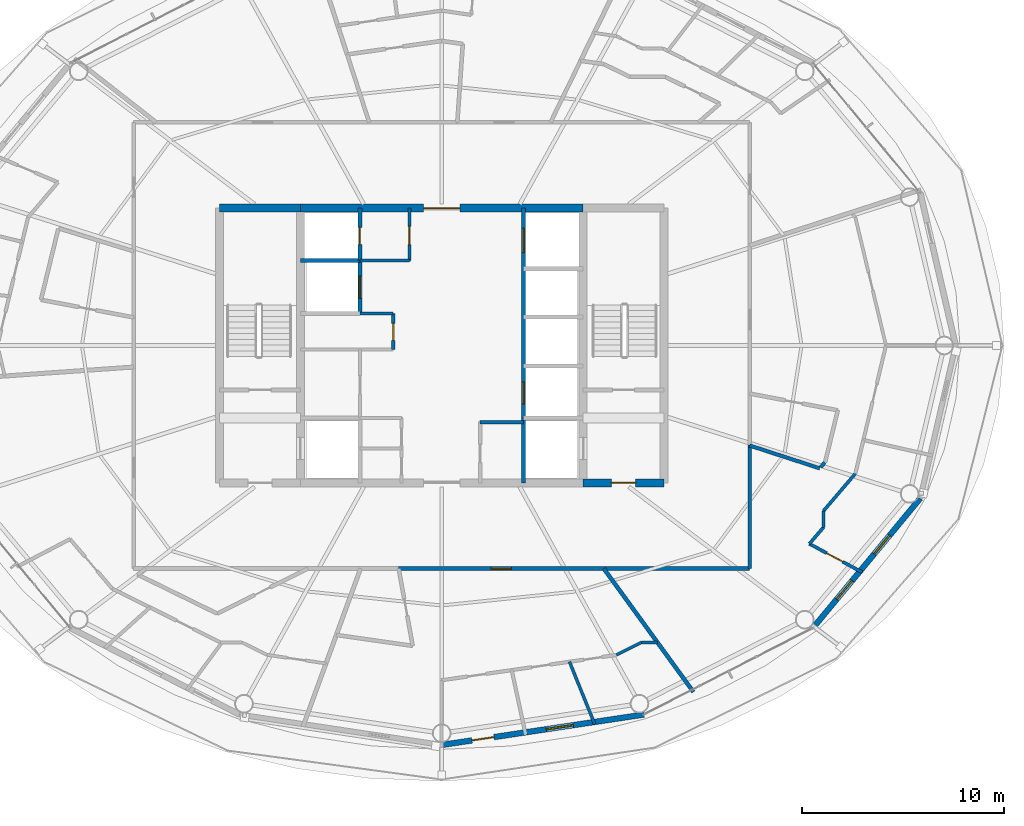
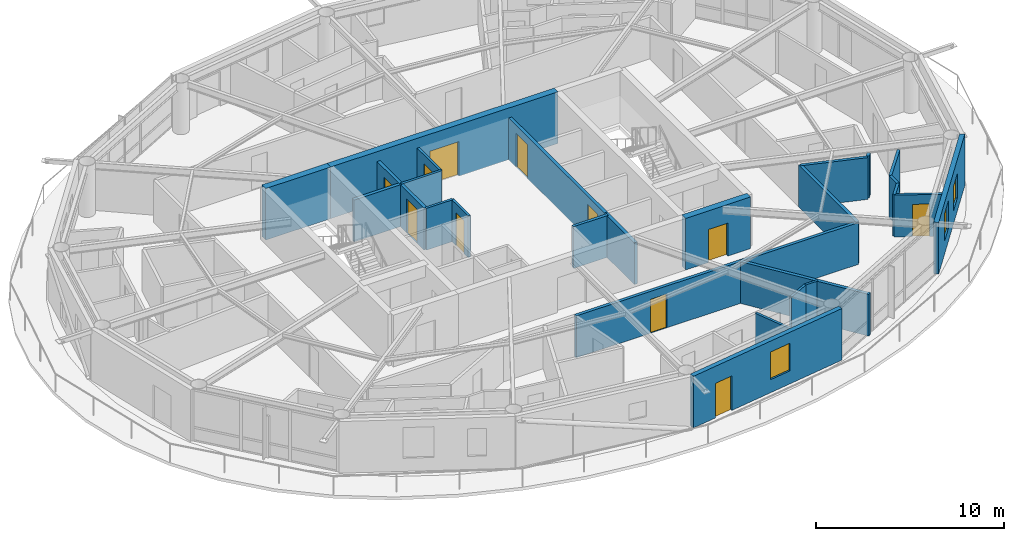
# One storey, part 17 of 23: 27 walls, 11 doors, 3 windows, 14 openings.
"""IFC4 building model written with IfcOpenShell, lengths in metres."""

import ifcopenshell
import ifcopenshell.guid

model = None  # the IFC model being written
_history = None  # IfcOwnerHistory: only IFC2X3 demands one
_inside = {}  # id of a spatial element -> (the spatial element, [elements in it])
_under = {}  # id of a project, library or spatial element -> (it, [spatial elements below it])
_declared = {}  # id of a project -> (the project, [libraries it declares])
_typed = {}  # id of a type object -> (the type object, [elements of that type])
_made_of = {}  # id of a material, layer set ... -> (it, [elements and type objects made of it])


def new_model(schema):
    """Start an empty IFC model of exactly this schema.

    Asked for "IFC4X3", IfcOpenShell would pick the latest addendum, in which some entities
    have other attributes; the version numbers below select the first issue.
    IFC2X3 requires an IfcOwnerHistory on every rooted entity: one is made here for all.
    """
    global model, _history
    if schema == "IFC4X3":
        model = ifcopenshell.file(schema_version=(4, 3, 0, 0))
    else:
        model = ifcopenshell.file(schema=schema)
    _inside.clear()
    _under.clear()
    _declared.clear()
    _typed.clear()
    _made_of.clear()
    _history = None
    if model.schema == "IFC2X3":
        org = make("IfcOrganization", Name="unknown")
        user = make(
            "IfcPersonAndOrganization",
            ThePerson=make("IfcPerson", FamilyName="unknown"),
            TheOrganization=org,
        )
        app = make(
            "IfcApplication",
            ApplicationDeveloper=org,
            Version="unknown",
            ApplicationFullName="unknown",
            ApplicationIdentifier="unknown",
        )
        _history = make(
            "IfcOwnerHistory",
            OwningUser=user,
            OwningApplication=app,
            ChangeAction="ADDED",
            CreationDate=0,
        )
    return model


def make(cls, **values):
    """One entity of the class cls with the attributes given. An attribute that is None is left unset."""
    return model.create_entity(
        cls, **{name: value for name, value in values.items() if value is not None}
    )


def rooted(cls, **values):
    """An entity with a GlobalId (a new one), such as an element, a storey or a relation."""
    return make(cls, GlobalId=ifcopenshell.guid.new(), OwnerHistory=_history, **values)


def si_unit(unit_type, name, prefix=None):
    """IfcSIUnit, for example si_unit("LENGTHUNIT", "METRE", prefix="MILLI")."""
    return make("IfcSIUnit", UnitType=unit_type, Prefix=prefix, Name=name)


def assignment(units):
    """IfcUnitAssignment: the units of a project."""
    return None if units is None else make("IfcUnitAssignment", Units=units)


def point(xyz):
    """IfcCartesianPoint."""
    return None if xyz is None else make("IfcCartesianPoint", Coordinates=xyz)


def direction(xyz):
    """IfcDirection."""
    return None if xyz is None else make("IfcDirection", DirectionRatios=xyz)


def frame(location, z_axis=None, x_axis=None):
    """IfcAxis2Placement3D, a coordinate frame: its origin and axes. An axis left out is left unset."""
    return make(
        "IfcAxis2Placement3D",
        Location=point(location),
        Axis=direction(z_axis),
        RefDirection=direction(x_axis),
    )


def frame_2d(location, x_axis=None):
    """IfcAxis2Placement2D, a coordinate frame in the plane: its origin and x axis."""
    return make(
        "IfcAxis2Placement2D", Location=point(location), RefDirection=direction(x_axis)
    )


def origin():
    """The frame at (0, 0, 0) with its axes left unset."""
    return frame((0.0, 0.0, 0.0))


def place(relative_to, where):
    """IfcLocalPlacement: puts the frame where relative to a parent placement (None: the world)."""
    return make(
        "IfcLocalPlacement", PlacementRelTo=relative_to, RelativePlacement=where
    )


def context(
    kind, dimensions, precision=None, world=None, true_north=None, identifier=None
):
    """IfcGeometricRepresentationContext, for example the 3D "Model" context."""
    return make(
        "IfcGeometricRepresentationContext",
        ContextIdentifier=identifier,
        ContextType=kind,
        CoordinateSpaceDimension=dimensions,
        Precision=precision,
        WorldCoordinateSystem=world,
        TrueNorth=true_north,
    )


def subcontext(parent, identifier, kind, view, scale=None):
    """IfcGeometricRepresentationSubContext, for example "Body" below "Model"."""
    return make(
        "IfcGeometricRepresentationSubContext",
        ContextIdentifier=identifier,
        ContextType=kind,
        ParentContext=parent,
        TargetScale=scale,
        TargetView=view,
    )


def project(units=None, contexts=None):
    """IfcProject with its units and contexts."""
    return rooted(
        "IfcProject",
        Name="project",
        RepresentationContexts=contexts,
        UnitsInContext=assignment(units),
    )


def spatial(cls, under=None, at=None, **own):
    """A site, building, storey or space (cls), placed at a placement, below another one or the project."""
    s = rooted(cls, ObjectPlacement=at, **own)
    if under is not None:
        _under.setdefault(under.id(), (under, []))[1].append(s)
    return s


def profile(cls, at=None, kind="AREA", **sizes):
    """A parametric profile (cls). Its sizes go by their IFC names, for example OverallWidth=200.0."""
    return make(cls, ProfileType=kind, Position=at, **sizes)


def rectangle(**sizes):
    """IfcRectangleProfileDef."""
    return profile("IfcRectangleProfileDef", **sizes)


def extrude(swept, where, along, depth):
    """IfcExtrudedAreaSolid: the profile swept, set in the frame where, extruded along a direction by depth."""
    return make(
        "IfcExtrudedAreaSolid",
        SweptArea=swept,
        Position=where,
        ExtrudedDirection=direction(along),
        Depth=depth,
    )


def shape(context_of_items, identifier, shape_type, items):
    """IfcShapeRepresentation: the items that make up one representation, for example the "Body"."""
    return make(
        "IfcShapeRepresentation",
        ContextOfItems=context_of_items,
        RepresentationIdentifier=identifier,
        RepresentationType=shape_type,
        Items=items,
    )


def material(Name=None, Category=None):
    """IfcMaterial."""
    return make("IfcMaterial", Name=Name, Category=Category)


def layer(
    of_material, thickness, ventilated=None, Name=None, Category=None, Priority=None
):
    """IfcMaterialLayer: one layer of a wall or slab, of a material (None: an air gap)."""
    return make(
        "IfcMaterialLayer",
        Material=of_material,
        LayerThickness=thickness,
        IsVentilated=ventilated,
        Name=Name,
        Category=Category,
        Priority=Priority,
    )


def layer_set(layers, Name=None):
    """IfcMaterialLayerSet."""
    return make("IfcMaterialLayerSet", MaterialLayers=layers, LayerSetName=Name)


def made_of(thing, what):
    """Note that an element or type object is made of a material, layer set ...; save() writes the relation."""
    if what is not None:
        _made_of.setdefault(what.id(), (what, []))[1].append(thing)
    return thing


def type_object(cls, material=None, **own):
    """A type object (cls), such as IfcWallType, which elements share."""
    return made_of(rooted(cls, **own), material)


def element(
    cls,
    number,
    at=None,
    inside=None,
    cuts=None,
    type_object=None,
    material=None,
    context=None,
    identifier="Body",
    shape_type=None,
    held_by="IfcProductDefinitionShape",
    body=None,
    shapes=None,
    **own,
):
    """One element of the class cls, such as IfcWall. Its Tag is "e" and its number.

    at: its placement. inside: the storey or other place that contains it. cuts: it is an
    opening in that element (IfcRelVoidsElement). A single representation is given by context,
    identifier, shape_type and body (its items); several are given by shapes. held_by: the class
    of the entity that holds the representations. save() writes the other relations.
    """
    e = rooted(cls, Tag="e%d" % number, ObjectPlacement=at, **own)
    if body is not None:
        shapes = [shape(context, identifier, shape_type, body)]
    if shapes is not None:
        e.Representation = make(held_by, Representations=shapes)
    if inside is not None:
        _inside.setdefault(inside.id(), (inside, []))[1].append(e)
    if cuts is not None:
        rooted(
            "IfcRelVoidsElement", RelatingBuildingElement=cuts, RelatedOpeningElement=e
        )
    if type_object is not None:
        _typed.setdefault(type_object.id(), (type_object, []))[1].append(e)
    return made_of(e, material)


def fill(opening, filler):
    """IfcRelFillsElement: the door or window that sits in an opening."""
    return rooted(
        "IfcRelFillsElement",
        RelatingOpeningElement=opening,
        RelatedBuildingElement=filler,
    )


def aggregate(whole, parts):
    """IfcRelAggregates: a whole, such as a stair, and the parts it consists of."""
    return rooted("IfcRelAggregates", RelatingObject=whole, RelatedObjects=parts)


def save(model, path):
    """Write the relations noted so far, then the file.

    IfcRelAggregates (storeys below a building ...), IfcRelContainedInSpatialStructure (elements
    in a storey), IfcRelDefinesByType, IfcRelAssociatesMaterial and IfcRelDeclares: one each for
    every whole, place, type object, material and project.
    """
    for whole, parts in _under.values():
        aggregate(whole, parts)
    for where, things in _inside.values():
        rooted(
            "IfcRelContainedInSpatialStructure",
            RelatedElements=things,
            RelatingStructure=where,
        )
    for kind, things in _typed.values():
        rooted("IfcRelDefinesByType", RelatedObjects=things, RelatingType=kind)
    for what, things in _made_of.values():
        rooted("IfcRelAssociatesMaterial", RelatedObjects=things, RelatingMaterial=what)
    for by, libraries in _declared.values():
        rooted("IfcRelDeclares", RelatingContext=by, RelatedDefinitions=libraries)
    model.write(path)


model = new_model("IFC4")

# Units and contexts
model_context = context("Model", 3, precision=1e-05, world=origin(), true_north=direction((0.0, 1.0)))
body_context = subcontext(model_context, "Body", "Model", "MODEL_VIEW")
ifc_project = project(units=[si_unit("LENGTHUNIT", "METRE"), si_unit("AREAUNIT", "SQUARE_METRE"), si_unit("VOLUMEUNIT", "CUBIC_METRE"), si_unit("PLANEANGLEUNIT", "RADIAN"), si_unit("MASSUNIT", "GRAM", prefix="KILO")], contexts=[model_context])

# Site, building, storey
site_placement = place(None, origin())
site = spatial("IfcSite", under=ifc_project, at=site_placement, CompositionType="ELEMENT")
building_placement = place(site_placement, origin())
building = spatial("IfcBuilding", under=site, at=building_placement, Name="Sarneth Arch Tower", CompositionType="ELEMENT")
storey_placement = place(building_placement, frame((0.0, 0.0, 217.199951171875)))
storey = spatial("IfcBuildingStorey", under=building, at=storey_placement, Name="L55", CompositionType="ELEMENT", Elevation=217.199951171875)

# Wall, opening, door
ifc_material_1 = material(Name="Concrete C50/60", Category="concrete")
ifc_layer_1 = layer(ifc_material_1, 0.39990234375)
ifc_layer_set_1 = layer_set([ifc_layer_1], Name="Concrete C50/60")
wall_type_1 = type_object("IfcWallType", Name="WALL-CORE-400", PredefinedType="SHEAR", material=ifc_layer_set_1)
wall_1_placement = place(storey_placement, frame((55.0, 35.199951171875, 0.0), z_axis=(0.0, 0.0, 1.0), x_axis=(1.0, 0.0, 0.0)))
wall_1 = element("IfcWall", 1, at=wall_1_placement, inside=storey, type_object=wall_type_1, Name="L55 Core shear wall S-E", PredefinedType="SHEAR", context=body_context, shape_type="SweptSolid", body=[
    extrude(rectangle(XDim=4.0, YDim=0.39990234375, at=frame_2d((2.0, 0.0))), origin(), (0.0, 0.0, 1.0), 3.360107421875),
])
opening_1_placement = place(wall_1_placement, frame((1.39990234375, 0.0, 0.0)))
opening_1 = element("IfcOpeningElement", 2, at=opening_1_placement, cuts=wall_1, Name="Opening FD-02", PredefinedType="OPENING", context=body_context, shape_type="SweptSolid", body=[
    extrude(rectangle(XDim=1.199951171875, YDim=2.14990234375, at=frame_2d((0.60009765625, 1.074951171875))), frame((0.0, 0.2099609375, 0.0), z_axis=(0.0, -1.0, 0.0), x_axis=(1.0, 0.0, 0.0)), (0.0, 0.0, 1.0), 0.419921875),
])
ifc_material_2 = material(Name="Galvanised Steel S275 fire door set", Category="steel")
door_type_1 = type_object("IfcDoorType", Name="DR-FD90-1200", OperationType="SINGLE_SWING_LEFT", PredefinedType="DOOR", material=ifc_material_2)
door_1_placement = place(opening_1_placement, origin())
door_1 = element("IfcDoor", 3, at=door_1_placement, inside=storey, type_object=door_type_1, Name="L55 Firefighting lobby 2 exit door", OperationType="SINGLE_SWING_RIGHT", OverallHeight=2.14990234375, OverallWidth=1.199951171875, PredefinedType="DOOR", context=body_context, shape_type="SweptSolid", body=[
    extrude(rectangle(XDim=1.199951171875, YDim=2.14990234375, at=frame_2d((0.60009765625, 1.074951171875))), frame((0.0, 0.02490234375, 0.0), z_axis=(0.0, -1.0, 0.0), x_axis=(1.0, 0.0, 0.0)), (0.0, 0.0, 1.0), 0.050048828125),
])
fill(opening_1, door_1)

# Wall
wall_2_placement = place(storey_placement, frame((37.0, 48.800048828125, 0.0), z_axis=(0.0, 0.0, 1.0), x_axis=(1.0, 0.0, 0.0)))
element("IfcWall", 4, at=wall_2_placement, inside=storey, type_object=wall_type_1, Name="L55 Core shear wall N-W", PredefinedType="SHEAR", context=body_context, shape_type="SweptSolid", body=[
    extrude(rectangle(XDim=4.0, YDim=0.39990234375, at=frame_2d((2.0, 0.0))), origin(), (0.0, 0.0, 1.0), 3.360107421875),
])

# Wall, opening, door
wall_3_placement = place(storey_placement, frame((41.0, 48.800048828125, 0.0), z_axis=(0.0, 0.0, 1.0), x_axis=(1.0, 0.0, 0.0)))
wall_3 = element("IfcWall", 5, at=wall_3_placement, inside=storey, type_object=wall_type_1, Name="L55 Core shear wall N-M", PredefinedType="SHEAR", context=body_context, shape_type="SweptSolid", body=[
    extrude(rectangle(XDim=14.0, YDim=0.39990234375, at=frame_2d((7.0, 0.0))), origin(), (0.0, 0.0, 1.0), 3.360107421875),
])
opening_2_placement = place(wall_3_placement, frame((6.10009765625, 0.0, 0.0)))
opening_2 = element("IfcOpeningElement", 6, at=opening_2_placement, cuts=wall_3, Name="Opening FD-01", PredefinedType="OPENING", context=body_context, shape_type="SweptSolid", body=[
    extrude(rectangle(XDim=1.800048828125, YDim=2.25, at=frame_2d((0.89990234375, 1.125))), frame((0.0, 0.2099609375, 0.0), z_axis=(0.0, -1.0, 0.0), x_axis=(1.0, 0.0, 0.0)), (0.0, 0.0, 1.0), 0.419921875),
])
ifc_material_3 = material(Name="Galvanised Steel S275 fire door set", Category="steel")
door_type_2 = type_object("IfcDoorType", Name="DR-FD90-1800", OperationType="DOUBLE_DOOR_SINGLE_SWING", PredefinedType="DOOR", material=ifc_material_3)
door_2_placement = place(opening_2_placement, origin())
door_2 = element("IfcDoor", 7, at=door_2_placement, inside=storey, type_object=door_type_2, Name="L55 Central lift lobby north door", OperationType="DOUBLE_DOOR_SINGLE_SWING", OverallHeight=2.25, OverallWidth=1.800048828125, PredefinedType="DOOR", context=body_context, shape_type="SweptSolid", body=[
    extrude(rectangle(XDim=1.800048828125, YDim=2.25, at=frame_2d((0.89990234375, 1.125))), frame((0.0, 0.02490234375, 0.0), z_axis=(0.0, -1.0, 0.0), x_axis=(1.0, 0.0, 0.0)), (0.0, 0.0, 1.0), 0.050048828125),
])
fill(opening_2, door_2)

ifc_material_4 = material(Name="Double steel-stud corridor fire wall", Category="steel")
ifc_layer_2 = layer(ifc_material_4, 0.18994140625)
ifc_layer_set_2 = layer_set([ifc_layer_2], Name="Double steel-stud corridor fire wall")
wall_type_2 = type_object("IfcWallType", Name="WALL-CORR-190", PredefinedType="PARTITIONING", material=ifc_layer_set_2)
wall_4_placement = place(storey_placement, frame((45.870361328125, 30.949951171875, 0.0), z_axis=(0.0, 0.0, 1.0), x_axis=(1.0, 0.0, 0.0)))
wall_4 = element("IfcWall", 8, at=wall_4_placement, inside=storey, type_object=wall_type_2, Name="L55 Interior partition W-L55-TP-015", PredefinedType="PARTITIONING", context=body_context, shape_type="SweptSolid", body=[
    extrude(rectangle(XDim=17.379638671875, YDim=0.18994140625, at=frame_2d((8.68994140625, 0.0))), origin(), (0.0, 0.0, 1.0), 2.719970703125),
])
opening_3_placement = place(wall_4_placement, frame((4.5791015625, 0.0, 0.0)))
opening_3 = element("IfcOpeningElement", 9, at=opening_3_placement, cuts=wall_4, Name="Opening FD-08", PredefinedType="OPENING", context=body_context, shape_type="SweptSolid", body=[
    extrude(rectangle(XDim=1.0, YDim=2.199951171875, at=frame_2d((0.5, 1.10009765625))), frame((0.0, 0.10498046875, 0.0), z_axis=(0.0, -1.0, 0.0), x_axis=(1.0, 0.0, 0.0)), (0.0, 0.0, 1.0), 0.2099609375),
])
ifc_material_5 = material(Name="Hardwood timber acoustic fire door", Category="wood")
door_type_3 = type_object("IfcDoorType", Name="DR-FD60-1000", OperationType="SINGLE_SWING_LEFT", PredefinedType="DOOR", material=ifc_material_5)
door_3_placement = place(opening_3_placement, origin())
door_3 = element("IfcDoor", 10, at=door_3_placement, inside=storey, type_object=door_type_3, Name="L55 Interior door DR-L55-U6-ENT", OperationType="SINGLE_SWING_LEFT", OverallHeight=2.199951171875, OverallWidth=1.0, PredefinedType="DOOR", context=body_context, shape_type="SweptSolid", body=[
    extrude(rectangle(XDim=1.0, YDim=2.199951171875, at=frame_2d((0.5, 1.10009765625))), frame((0.0, 0.02490234375, 0.0), z_axis=(0.0, -1.0, 0.0), x_axis=(1.0, 0.0, 0.0)), (0.0, 0.0, 1.0), 0.050048828125),
])
fill(opening_3, door_3)

# Wall
wall_5_placement = place(storey_placement, frame((63.25, 37.07861328125, 0.0), z_axis=(0.0, 0.0, 1.0), x_axis=(0.0, -1.0, 0.0)))
element("IfcWall", 11, at=wall_5_placement, inside=storey, type_object=wall_type_2, Name="L55 Interior partition W-L55-TP-017", PredefinedType="PARTITIONING", context=body_context, shape_type="SweptSolid", body=[
    extrude(rectangle(XDim=6.128662109375, YDim=0.18994140625, at=frame_2d((3.064453125, 0.0))), origin(), (0.0, 0.0, 1.0), 2.719970703125),
])

# Wall, openings, door, window
ifc_material_6 = material(Name="Extruded terracotta rainscreen on Concrete C40/50 backing", Category="masonry")
ifc_layer_3 = layer(ifc_material_6, 0.280029296875)
ifc_layer_set_3 = layer_set([ifc_layer_3], Name="Extruded terracotta rainscreen on Concrete C40/50 backing")
wall_type_3 = type_object("IfcWallType", Name="WALL-EXT-TERRA-280", PredefinedType="SOLIDWALL", material=ifc_layer_set_3)
wall_6_placement = place(storey_placement, frame((48.0, 22.219970703125, 0.0), z_axis=(0.0, 0.0, 1.0), x_axis=(0.988882522213, 0.148698881169, 0.0)))
wall_6 = element("IfcWall", 12, at=wall_6_placement, inside=storey, type_object=wall_type_3, Name="L55 Terracotta perimeter wall 13", PredefinedType="SOLIDWALL", context=body_context, shape_type="SweptSolid", body=[
    extrude(rectangle(XDim=10.125244140625, YDim=0.280029296875, at=frame_2d((5.0625, 0.0))), origin(), (0.0, 0.0, 1.0), 3.360107421875),
])
opening_4_placement = place(wall_6_placement, frame((1.51611328125, 0.0, 0.0)))
opening_4 = element("IfcOpeningElement", 13, at=opening_4_placement, cuts=wall_6, Name="Opening BD-3", PredefinedType="OPENING", context=body_context, shape_type="SweptSolid", body=[
    extrude(rectangle(XDim=1.10009765625, YDim=2.25, at=frame_2d((0.550048828125, 1.125))), frame((0.0, 0.14990234375, 0.0), z_axis=(0.0, -1.0, 0.0), x_axis=(1.0, 0.0, 0.0)), (0.0, 0.0, 1.0), 0.300048828125),
])
opening_5_placement = place(wall_6_placement, frame((5.2412109375, 0.0, 0.85009765625)))
opening_5 = element("IfcOpeningElement", 14, at=opening_5_placement, cuts=wall_6, Name="Opening W-08", PredefinedType="OPENING", context=body_context, shape_type="SweptSolid", body=[
    extrude(rectangle(XDim=1.35009765625, YDim=1.800048828125, at=frame_2d((0.675048828125, 0.89990234375))), frame((0.0, 0.14990234375, 0.0), z_axis=(0.0, -1.0, 0.0), x_axis=(1.0, 0.0, 0.0)), (0.0, 0.0, 1.0), 0.300048828125),
])
ifc_material_7 = material(Name="Thermally broken Aluminium 6063-T6 and laminated safety glass", Category="aluminium")
door_type_4 = type_object("IfcDoorType", Name="DR-BALC-GLZ-1100", OperationType="SINGLE_SWING_LEFT", PredefinedType="DOOR", material=ifc_material_7)
door_4_placement = place(opening_4_placement, origin())
door_4 = element("IfcDoor", 15, at=door_4_placement, inside=storey, type_object=door_type_4, Name="L55 Balcony glazed door 13", OperationType="SINGLE_SWING_LEFT", OverallHeight=2.25, OverallWidth=1.10009765625, PredefinedType="DOOR", context=body_context, shape_type="SweptSolid", body=[
    extrude(rectangle(XDim=1.10009765625, YDim=2.25, at=frame_2d((0.550048828125, 1.125))), frame((0.0, 0.02490234375, 0.0), z_axis=(0.0, -1.0, 0.0), x_axis=(1.0, 0.0, 0.0)), (0.0, 0.0, 1.0), 0.050048828125),
])
fill(opening_4, door_4)
ifc_material_8 = material(Name="Thermally broken Aluminium 6063-T6 and low-e laminated IGU", Category="aluminium")
window_type_1 = type_object("IfcWindowType", Name="WIN-TWR-1350x1800", PartitioningType="SINGLE_PANEL", PredefinedType="WINDOW", material=ifc_material_8)
window_1_placement = place(opening_5_placement, origin())
window_1 = element("IfcWindow", 16, at=window_1_placement, inside=storey, type_object=window_type_1, Name="L55 Exterior window 13A", OverallHeight=1.800048828125, OverallWidth=1.35009765625, PartitioningType="SINGLE_PANEL", PredefinedType="WINDOW", context=body_context, shape_type="SweptSolid", body=[
    extrude(rectangle(XDim=1.35009765625, YDim=1.800048828125, at=frame_2d((0.675048828125, 0.89990234375))), frame((0.0, 0.030029296875, 0.0), z_axis=(0.0, -1.0, 0.0), x_axis=(1.0, 0.0, 0.0)), (0.0, 0.0, 1.0), 0.06005859375),
])
fill(opening_5, window_1)

# Wall, openings, windows
wall_7_placement = place(storey_placement, frame((66.382568359375, 28.013427734375, 0.0), z_axis=(0.0, 0.0, 1.0), x_axis=(0.63761509934, 0.770355103243, 0.0)))
wall_7 = element("IfcWall", 17, at=wall_7_placement, inside=storey, type_object=wall_type_3, Name="L55 Terracotta perimeter wall 15", PredefinedType="SOLIDWALL", context=body_context, shape_type="SweptSolid", body=[
    extrude(rectangle(XDim=8.329833984375, YDim=0.280029296875, at=frame_2d((4.1650390625, 0.0))), origin(), (0.0, 0.0, 1.0), 3.360107421875),
])
opening_6_placement = place(wall_7_placement, frame((1.842041015625, 0.0, 0.85009765625)))
opening_6 = element("IfcOpeningElement", 18, at=opening_6_placement, cuts=wall_7, Name="Opening W-09", PredefinedType="OPENING", context=body_context, shape_type="SweptSolid", body=[
    extrude(rectangle(XDim=1.199951171875, YDim=1.800048828125, at=frame_2d((0.60009765625, 0.89990234375))), frame((0.0, 0.14990234375, 0.0), z_axis=(0.0, -1.0, 0.0), x_axis=(1.0, 0.0, 0.0)), (0.0, 0.0, 1.0), 0.300048828125),
])
opening_7_placement = place(wall_7_placement, frame((4.7470703125, 0.0, 0.85009765625)))
opening_7 = element("IfcOpeningElement", 19, at=opening_7_placement, cuts=wall_7, Name="Opening W-10", PredefinedType="OPENING", context=body_context, shape_type="SweptSolid", body=[
    extrude(rectangle(XDim=1.199951171875, YDim=1.60009765625, at=frame_2d((0.60009765625, 0.800048828125))), frame((0.0, 0.14990234375, 0.0), z_axis=(0.0, -1.0, 0.0), x_axis=(1.0, 0.0, 0.0)), (0.0, 0.0, 1.0), 0.300048828125),
])
ifc_material_9 = material(Name="Thermally broken Aluminium 6063-T6 and low-e laminated IGU", Category="aluminium")
window_type_2 = type_object("IfcWindowType", Name="WIN-TWR-1200x1600", PartitioningType="SINGLE_PANEL", PredefinedType="WINDOW", material=ifc_material_9)
window_2_placement = place(opening_7_placement, origin())
window_2 = element("IfcWindow", 20, at=window_2_placement, inside=storey, type_object=window_type_2, Name="L55 Exterior window 15B", OverallHeight=1.60009765625, OverallWidth=1.199951171875, PartitioningType="SINGLE_PANEL", PredefinedType="WINDOW", context=body_context, shape_type="SweptSolid", body=[
    extrude(rectangle(XDim=1.199951171875, YDim=1.60009765625, at=frame_2d((0.60009765625, 0.800048828125))), frame((0.0, 0.030029296875, 0.0), z_axis=(0.0, -1.0, 0.0), x_axis=(1.0, 0.0, 0.0)), (0.0, 0.0, 1.0), 0.06005859375),
])
fill(opening_7, window_2)
ifc_material_10 = material(Name="Thermally broken Aluminium 6063-T6 and low-e laminated IGU", Category="aluminium")
window_type_3 = type_object("IfcWindowType", Name="WIN-TWR-1200x1800", PartitioningType="SINGLE_PANEL", PredefinedType="WINDOW", material=ifc_material_10)
window_3_placement = place(opening_6_placement, origin())
window_3 = element("IfcWindow", 21, at=window_3_placement, inside=storey, type_object=window_type_3, Name="L55 Exterior window 15A", OverallHeight=1.800048828125, OverallWidth=1.199951171875, PartitioningType="SINGLE_PANEL", PredefinedType="WINDOW", context=body_context, shape_type="SweptSolid", body=[
    extrude(rectangle(XDim=1.199951171875, YDim=1.800048828125, at=frame_2d((0.60009765625, 0.89990234375))), frame((0.0, 0.030029296875, 0.0), z_axis=(0.0, -1.0, 0.0), x_axis=(1.0, 0.0, 0.0)), (0.0, 0.0, 1.0), 0.06005859375),
])
fill(opening_6, window_3)

# Walls
ifc_material_11 = material(Name="Apartment internal stud partition", Category="gypsum")
ifc_layer_4 = layer(ifc_material_11, 0.139892578125)
ifc_layer_set_4 = layer_set([ifc_layer_4], Name="Apartment internal stud partition")
wall_type_4 = type_object("IfcWallType", Name="WALL-PART-140", PredefinedType="PARTITIONING", material=ifc_layer_set_4)
wall_8_placement = place(storey_placement, frame((57.898681640625, 27.300048828125, 0.0), z_axis=(0.0, 0.0, 1.0), x_axis=(-0.895584310315, -0.444891833053, 0.0)))
element("IfcWall", 22, at=wall_8_placement, inside=storey, type_object=wall_type_4, Name="L55 Interior partition W-L55-TP-088", PredefinedType="PARTITIONING", context=body_context, shape_type="SweptSolid", body=[
    extrude(rectangle(XDim=1.388916015625, YDim=0.139892578125, at=frame_2d((0.6943359375, 0.0))), origin(), (0.0, 0.0, 1.0), 2.719970703125),
])
wall_9_placement = place(storey_placement, frame((58.68017578125, 27.300048828125, 0.0), z_axis=(0.0, 0.0, 1.0), x_axis=(-1.0, 0.0, 0.0)))
element("IfcWall", 23, at=wall_9_placement, inside=storey, type_object=wall_type_4, Name="L55 Interior partition W-L55-TP-087", PredefinedType="PARTITIONING", context=body_context, shape_type="SweptSolid", body=[
    extrude(rectangle(XDim=0.781494140625, YDim=0.139892578125, at=frame_2d((0.390625, 0.0))), origin(), (0.0, 0.0, 1.0), 2.719970703125),
])
ifc_material_12 = material(Name="Acoustic gypsum stud partition", Category="gypsum")
ifc_layer_5 = layer(ifc_material_12, 0.14990234375)
ifc_layer_set_5 = layer_set([ifc_layer_5], Name="Acoustic gypsum stud partition")
wall_type_5 = type_object("IfcWallType", Name="WALL-PART-150", PredefinedType="PARTITIONING", material=ifc_layer_set_5)
wall_10_placement = place(storey_placement, frame((43.949951171875, 43.580078125, 0.0), z_axis=(0.0, 0.0, 1.0), x_axis=(1.0, 0.0, 0.0)))
element("IfcWall", 24, at=wall_10_placement, inside=storey, type_object=wall_type_5, Name="L55 Interior partition W-L55-RECPL-N2", PredefinedType="PARTITIONING", context=body_context, shape_type="SweptSolid", body=[
    extrude(rectangle(XDim=1.650146484375, YDim=0.14990234375, at=frame_2d((0.8251953125, 0.0))), origin(), (0.0, 0.0, 1.0), 2.719970703125),
])

# Wall, opening, door
wall_11_placement = place(storey_placement, frame((45.60009765625, 41.800048828125, 0.0), z_axis=(0.0, 0.0, 1.0), x_axis=(0.0, 1.0, 0.0)))
wall_11 = element("IfcWall", 25, at=wall_11_placement, inside=storey, type_object=wall_type_5, Name="L55 Interior partition W-L55-RECPL-E2", PredefinedType="PARTITIONING", context=body_context, shape_type="SweptSolid", body=[
    extrude(rectangle(XDim=1.780029296875, YDim=0.14990234375, at=frame_2d((0.89013671875, 0.0))), origin(), (0.0, 0.0, 1.0), 2.719970703125),
])
opening_8_placement = place(wall_11_placement, frame((0.449951171875, 0.0, 0.0)))
opening_8 = element("IfcOpeningElement", 26, at=opening_8_placement, cuts=wall_11, Name="Opening FD-11", PredefinedType="OPENING", context=body_context, shape_type="SweptSolid", body=[
    extrude(rectangle(XDim=0.85009765625, YDim=2.14990234375, at=frame_2d((0.425048828125, 1.074951171875))), frame((0.0, 0.0849609375, 0.0), z_axis=(0.0, -1.0, 0.0), x_axis=(1.0, 0.0, 0.0)), (0.0, 0.0, 1.0), 0.169921875),
])
ifc_material_13 = material(Name="Galvanised Steel S275 closet fire door", Category="steel")
door_type_5 = type_object("IfcDoorType", Name="DR-FD60-850", OperationType="SINGLE_SWING_LEFT", PredefinedType="DOOR", material=ifc_material_13)
door_5_placement = place(opening_8_placement, origin())
door_5 = element("IfcDoor", 27, at=door_5_placement, inside=storey, type_object=door_type_5, Name="L55 Interior door DR-L55-RECPL2", OperationType="SINGLE_SWING_RIGHT", OverallHeight=2.14990234375, OverallWidth=0.85009765625, PredefinedType="DOOR", context=body_context, shape_type="SweptSolid", body=[
    extrude(rectangle(XDim=0.85009765625, YDim=2.14990234375, at=frame_2d((0.425048828125, 1.074951171875))), frame((0.0, 0.02490234375, 0.0), z_axis=(0.0, -1.0, 0.0), x_axis=(1.0, 0.0, 0.0)), (0.0, 0.0, 1.0), 0.050048828125),
])
fill(opening_8, door_5)

# Wall
wall_12_placement = place(storey_placement, frame((43.949951171875, 46.199951171875, 0.0), z_axis=(0.0, 0.0, 1.0), x_axis=(1.0, 0.0, 0.0)))
element("IfcWall", 28, at=wall_12_placement, inside=storey, type_object=wall_type_5, Name="L55 Interior partition W-L55-CSUP3-S", PredefinedType="PARTITIONING", context=body_context, shape_type="SweptSolid", body=[
    extrude(rectangle(XDim=2.449951171875, YDim=0.14990234375, at=frame_2d((1.22509765625, 0.0))), origin(), (0.0, 0.0, 1.0), 2.719970703125),
])

# Wall, opening, door
wall_13_placement = place(storey_placement, frame((46.39990234375, 46.199951171875, 0.0), z_axis=(0.0, 0.0, 1.0), x_axis=(0.0, 1.0, 0.0)))
wall_13 = element("IfcWall", 29, at=wall_13_placement, inside=storey, type_object=wall_type_5, Name="L55 Interior partition W-L55-CSUP3-E", PredefinedType="PARTITIONING", context=body_context, shape_type="SweptSolid", body=[
    extrude(rectangle(XDim=2.60009765625, YDim=0.14990234375, at=frame_2d((1.300048828125, 0.0))), origin(), (0.0, 0.0, 1.0), 2.719970703125),
])
opening_9_placement = place(wall_13_placement, frame((0.800048828125, 0.0, 0.0)))
opening_9 = element("IfcOpeningElement", 30, at=opening_9_placement, cuts=wall_13, Name="Opening FD-10", PredefinedType="OPENING", context=body_context, shape_type="SweptSolid", body=[
    extrude(rectangle(XDim=0.89990234375, YDim=2.14990234375, at=frame_2d((0.449951171875, 1.074951171875))), frame((0.0, 0.0849609375, 0.0), z_axis=(0.0, -1.0, 0.0), x_axis=(1.0, 0.0, 0.0)), (0.0, 0.0, 1.0), 0.169921875),
])
ifc_material_14 = material(Name="Galvanised Steel S275 riser/service fire door", Category="steel")
door_type_6 = type_object("IfcDoorType", Name="DR-FD60-900", OperationType="SINGLE_SWING_LEFT", PredefinedType="DOOR", material=ifc_material_14)
door_6_placement = place(opening_9_placement, origin())
door_6 = element("IfcDoor", 31, at=door_6_placement, inside=storey, type_object=door_type_6, Name="L55 Interior door DR-L55-CSUP3", OperationType="SINGLE_SWING_LEFT", OverallHeight=2.14990234375, OverallWidth=0.89990234375, PredefinedType="DOOR", context=body_context, shape_type="SweptSolid", body=[
    extrude(rectangle(XDim=0.89990234375, YDim=2.14990234375, at=frame_2d((0.449951171875, 1.074951171875))), frame((0.0, 0.02490234375, 0.0), z_axis=(0.0, -1.0, 0.0), x_axis=(1.0, 0.0, 0.0)), (0.0, 0.0, 1.0), 0.050048828125),
])
fill(opening_9, door_6)

# Wall
wall_14_placement = place(storey_placement, frame((54.325927734375, 26.342529296875, 0.0), z_axis=(0.0, 0.0, 1.0), x_axis=(0.374635643267, -0.927172117136, 0.0)))
element("IfcWall", 32, at=wall_14_placement, inside=storey, type_object=wall_type_5, Name="L55 Interior partition W-L55-TP-092", PredefinedType="PARTITIONING", context=body_context, shape_type="SweptSolid", body=[
    extrude(rectangle(XDim=3.344482421875, YDim=0.14990234375, at=frame_2d((1.67236328125, 0.0))), origin(), (0.0, 0.0, 1.0), 2.719970703125),
])

# Wall, opening, door
ifc_material_15 = material(Name="Kitchen wet service chase wall", Category="gypsum")
ifc_layer_6 = layer(ifc_material_15, 0.159912109375)
ifc_layer_set_6 = layer_set([ifc_layer_6], Name="Kitchen wet service chase wall")
wall_type_6 = type_object("IfcWallType", Name="WALL-PLUMB-160", PredefinedType="PLUMBINGWALL", material=ifc_layer_set_6)
wall_15_placement = place(storey_placement, frame((68.818115234375, 30.771484375, 0.0), z_axis=(0.0, 0.0, 1.0), x_axis=(-0.880124770505, 0.474742444219, 0.0)))
wall_15 = element("IfcWall", 33, at=wall_15_placement, inside=storey, type_object=wall_type_6, Name="L55 Interior partition W-L55-TP-094", PredefinedType="PLUMBINGWALL", context=body_context, shape_type="SweptSolid", body=[
    extrude(rectangle(XDim=2.96728515625, YDim=0.159912109375, at=frame_2d((1.483642578125, 0.0))), origin(), (0.0, 0.0, 1.0), 2.719970703125),
])
opening_10_placement = place(wall_15_placement, frame((1.093505859375, 0.0, 0.0)))
opening_10 = element("IfcOpeningElement", 34, at=opening_10_placement, cuts=wall_15, Name="Opening ID-01", PredefinedType="OPENING", context=body_context, shape_type="SweptSolid", body=[
    extrude(rectangle(XDim=0.89990234375, YDim=2.10009765625, at=frame_2d((0.449951171875, 1.050048828125))), frame((0.0, 0.08984375, 0.0), z_axis=(0.0, -1.0, 0.0), x_axis=(1.0, 0.0, 0.0)), (0.0, 0.0, 1.0), 0.179931640625),
])
ifc_material_16 = material(Name="Engineered hardwood flush door", Category="wood")
door_type_7 = type_object("IfcDoorType", Name="DR-INT-900", OperationType="SINGLE_SWING_LEFT", PredefinedType="DOOR", material=ifc_material_16)
door_7_placement = place(opening_10_placement, origin())
door_7 = element("IfcDoor", 35, at=door_7_placement, inside=storey, type_object=door_type_7, Name="L55 Interior door DR-L55-U7-KIT", OperationType="SINGLE_SWING_RIGHT", OverallHeight=2.10009765625, OverallWidth=0.89990234375, PredefinedType="DOOR", context=body_context, shape_type="SweptSolid", body=[
    extrude(rectangle(XDim=0.89990234375, YDim=2.10009765625, at=frame_2d((0.449951171875, 1.050048828125))), frame((0.0, 0.02490234375, 0.0), z_axis=(0.0, -1.0, 0.0), x_axis=(1.0, 0.0, 0.0)), (0.0, 0.0, 1.0), 0.050048828125),
])
fill(opening_10, door_7)

# Walls
wall_16_placement = place(storey_placement, frame((66.89990234375, 33.802978515625, 0.0), z_axis=(0.0, 0.0, 1.0), x_axis=(0.649270866973, 0.760557257082, 0.0)))
element("IfcWall", 36, at=wall_16_placement, inside=storey, type_object=wall_type_6, Name="L55 Interior partition W-L55-TP-097", PredefinedType="PLUMBINGWALL", context=body_context, shape_type="SweptSolid", body=[
    extrude(rectangle(XDim=2.43505859375, YDim=0.159912109375, at=frame_2d((1.217529296875, 0.0))), origin(), (0.0, 0.0, 1.0), 2.719970703125),
])
wall_17_placement = place(storey_placement, frame((66.20654296875, 32.18017578125, 0.0), z_axis=(0.0, 0.0, 1.0), x_axis=(0.649020528566, 0.760770894225, 0.0)))
element("IfcWall", 37, at=wall_17_placement, inside=storey, type_object=wall_type_6, Name="L55 Interior partition W-L55-TP-095", PredefinedType="PLUMBINGWALL", context=body_context, shape_type="SweptSolid", body=[
    extrude(rectangle(XDim=1.068359375, YDim=0.159912109375, at=frame_2d((0.5341796875, 0.0))), origin(), (0.0, 0.0, 1.0), 2.719970703125),
])
wall_18_placement = place(storey_placement, frame((66.89990234375, 32.992919921875, 0.0), z_axis=(0.0, 0.0, 1.0), x_axis=(0.0, 1.0, 0.0)))
element("IfcWall", 38, at=wall_18_placement, inside=storey, type_object=wall_type_6, Name="L55 Interior partition W-L55-TP-096", PredefinedType="PLUMBINGWALL", context=body_context, shape_type="SweptSolid", body=[
    extrude(rectangle(XDim=0.81005859375, YDim=0.159912109375, at=frame_2d((0.405029296875, 0.0))), origin(), (0.0, 0.0, 1.0), 2.719970703125),
])
ifc_material_17 = material(Name="Moisture-resistant plumbing chase wall", Category="gypsum")
ifc_layer_7 = layer(ifc_material_17, 0.179931640625)
ifc_layer_set_7 = layer_set([ifc_layer_7], Name="Moisture-resistant plumbing chase wall")
wall_type_7 = type_object("IfcWallType", Name="WALL-PLUMB-180", PredefinedType="PLUMBINGWALL", material=ifc_layer_set_7)
wall_19_placement = place(storey_placement, frame((49.89990234375, 38.199951171875, 0.0), z_axis=(0.0, 0.0, 1.0), x_axis=(1.0, 0.0, 0.0)))
element("IfcWall", 39, at=wall_19_placement, inside=storey, type_object=wall_type_7, Name="L55 Interior partition W-L55-AWC-N", PredefinedType="PLUMBINGWALL", context=body_context, shape_type="SweptSolid", body=[
    extrude(rectangle(XDim=2.150146484375, YDim=0.179931640625, at=frame_2d((1.0751953125, 0.0))), origin(), (0.0, 0.0, 1.0), 2.719970703125),
])
wall_20_placement = place(storey_placement, frame((63.25, 37.044921875, 0.0), z_axis=(0.0, 0.0, 1.0), x_axis=(0.951066543841, -0.308986131058, 0.0)))
element("IfcWall", 40, at=wall_20_placement, inside=storey, type_object=wall_type_7, Name="L55 Interior partition W-L55-TP-099", PredefinedType="PLUMBINGWALL", context=body_context, shape_type="SweptSolid", body=[
    extrude(rectangle(XDim=3.645751953125, YDim=0.179931640625, at=frame_2d((1.82275390625, 0.0))), origin(), (0.0, 0.0, 1.0), 2.719970703125),
])
wall_21_placement = place(storey_placement, frame((66.761962890625, 35.9697265625, 0.0), z_axis=(0.0, 0.0, 1.0), x_axis=(0.656312676344, 0.754489013088, 0.0)))
element("IfcWall", 41, at=wall_21_placement, inside=storey, type_object=wall_type_7, Name="L55 Interior partition W-L55-TP-100", PredefinedType="PLUMBINGWALL", context=body_context, shape_type="SweptSolid", body=[
    extrude(rectangle(XDim=0.31591796875, YDim=0.179931640625, at=frame_2d((0.157958984375, 0.0))), origin(), (0.0, 0.0, 1.0), 2.719970703125),
])
ifc_material_18 = material(Name="Aerated concrete blockwork C25/30", Category="masonry")
ifc_layer_8 = layer(ifc_material_18, 0.199951171875)
ifc_layer_set_8 = layer_set([ifc_layer_8], Name="Aerated concrete blockwork C25/30")
wall_type_8 = type_object("IfcWallType", Name="WALL-SHAFT-200", PredefinedType="SOLIDWALL", material=ifc_layer_set_8)
wall_22_placement = place(storey_placement, frame((52.050048828125, 35.199951171875, 0.0), z_axis=(0.0, 0.0, 1.0), x_axis=(0.0, 1.0, 0.0)))
element("IfcWall", 42, at=wall_22_placement, inside=storey, type_object=wall_type_8, Name="L55 Interior partition W-L55-FL2-W", PredefinedType="SOLIDWALL", context=body_context, shape_type="SweptSolid", body=[
    extrude(rectangle(XDim=3.199951171875, YDim=0.199951171875, at=frame_2d((1.60009765625, 0.0))), origin(), (0.0, 0.0, 1.0), 2.719970703125),
])
wall_23_placement = place(storey_placement, frame((41.0, 46.199951171875, 0.0), z_axis=(0.0, 0.0, 1.0), x_axis=(1.0, 0.0, 0.0)))
element("IfcWall", 43, at=wall_23_placement, inside=storey, type_object=wall_type_8, Name="L55 Interior partition W-L55-RISER-S", PredefinedType="SOLIDWALL", context=body_context, shape_type="SweptSolid", body=[
    extrude(rectangle(XDim=2.949951171875, YDim=0.199951171875, at=frame_2d((1.47509765625, 0.0))), origin(), (0.0, 0.0, 1.0), 2.719970703125),
])

# Wall, opening, door
wall_24_placement = place(storey_placement, frame((43.949951171875, 46.199951171875, 0.0), z_axis=(0.0, 0.0, 1.0), x_axis=(0.0, 1.0, 0.0)))
wall_24 = element("IfcWall", 44, at=wall_24_placement, inside=storey, type_object=wall_type_8, Name="L55 Interior partition W-L55-RISER-E", PredefinedType="SOLIDWALL", context=body_context, shape_type="SweptSolid", body=[
    extrude(rectangle(XDim=2.60009765625, YDim=0.199951171875, at=frame_2d((1.300048828125, 0.0))), origin(), (0.0, 0.0, 1.0), 2.719970703125),
])
opening_11_placement = place(wall_24_placement, frame((0.800048828125, 0.0, 0.0)))
opening_11 = element("IfcOpeningElement", 45, at=opening_11_placement, cuts=wall_24, Name="Opening FD-11", PredefinedType="OPENING", context=body_context, shape_type="SweptSolid", body=[
    extrude(rectangle(XDim=0.85009765625, YDim=2.14990234375, at=frame_2d((0.425048828125, 1.074951171875))), frame((0.0, 0.10986328125, 0.0), z_axis=(0.0, -1.0, 0.0), x_axis=(1.0, 0.0, 0.0)), (0.0, 0.0, 1.0), 0.219970703125),
])
door_8_placement = place(opening_11_placement, origin())
door_8 = element("IfcDoor", 46, at=door_8_placement, inside=storey, type_object=door_type_5, Name="L55 Lift landing door DR-L55-RISER", OperationType="SINGLE_SWING_LEFT", OverallHeight=2.14990234375, OverallWidth=0.85009765625, PredefinedType="DOOR", context=body_context, shape_type="SweptSolid", body=[
    extrude(rectangle(XDim=0.85009765625, YDim=2.14990234375, at=frame_2d((0.425048828125, 1.074951171875))), frame((0.0, 0.02490234375, 0.0), z_axis=(0.0, -1.0, 0.0), x_axis=(1.0, 0.0, 0.0)), (0.0, 0.0, 1.0), 0.050048828125),
])
fill(opening_11, door_8)

wall_25_placement = place(storey_placement, frame((43.949951171875, 43.580078125, 0.0), z_axis=(0.0, 0.0, 1.0), x_axis=(0.0, 1.0, 0.0)))
wall_25 = element("IfcWall", 47, at=wall_25_placement, inside=storey, type_object=wall_type_8, Name="L55 Interior partition W-L55-PM1-FRONT", PredefinedType="SOLIDWALL", context=body_context, shape_type="SweptSolid", body=[
    extrude(rectangle(XDim=2.619873046875, YDim=0.199951171875, at=frame_2d((1.31005859375, 0.0))), origin(), (0.0, 0.0, 1.0), 2.719970703125),
])
opening_12_placement = place(wall_25_placement, frame((0.75, 0.0, 0.0)))
opening_12 = element("IfcOpeningElement", 48, at=opening_12_placement, cuts=wall_25, Name="Opening LD-1", PredefinedType="OPENING", context=body_context, shape_type="SweptSolid", body=[
    extrude(rectangle(XDim=1.10009765625, YDim=2.199951171875, at=frame_2d((0.550048828125, 1.10009765625))), frame((0.0, 0.10986328125, 0.0), z_axis=(0.0, -1.0, 0.0), x_axis=(1.0, 0.0, 0.0)), (0.0, 0.0, 1.0), 0.219970703125),
])
ifc_material_19 = material(Name="Brushed Stainless Steel 304 lift landing door", Category="steel")
door_type_8 = type_object("IfcDoorType", Name="DR-LIFT-SLIDE-1100", OperationType="SLIDING_TO_LEFT", PredefinedType="DOOR", material=ifc_material_19)
door_9_placement = place(opening_12_placement, origin())
door_9 = element("IfcDoor", 49, at=door_9_placement, inside=storey, type_object=door_type_8, Name="L55 Lift landing door DR-L55-LD-PM1", OperationType="SLIDING_TO_LEFT", OverallHeight=2.199951171875, OverallWidth=1.10009765625, PredefinedType="DOOR", context=body_context, shape_type="SweptSolid", body=[
    extrude(rectangle(XDim=1.10009765625, YDim=2.199951171875, at=frame_2d((0.550048828125, 1.10009765625))), frame((0.0, 0.02490234375, 0.0), z_axis=(0.0, -1.0, 0.0), x_axis=(1.0, 0.0, 0.0)), (0.0, 0.0, 1.0), 0.050048828125),
])
fill(opening_12, door_9)

# Wall, openings, doors
wall_26_placement = place(storey_placement, frame((52.050048828125, 38.39990234375, 0.0), z_axis=(0.0, 0.0, 1.0), x_axis=(0.0, 1.0, 0.0)))
wall_26 = element("IfcWall", 50, at=wall_26_placement, inside=storey, type_object=wall_type_8, Name="L55 Interior partition W-L55-EASTBANK-FRONT", PredefinedType="SOLIDWALL", context=body_context, shape_type="SweptSolid", body=[
    extrude(rectangle(XDim=10.400146484375, YDim=0.199951171875, at=frame_2d((5.2001953125, 0.0))), origin(), (0.0, 0.0, 1.0), 2.719970703125),
])
opening_13_placement = place(wall_26_placement, frame((0.699951171875, 0.0, 0.0)))
opening_13 = element("IfcOpeningElement", 51, at=opening_13_placement, cuts=wall_26, Name="Opening LD-1", PredefinedType="OPENING", context=body_context, shape_type="SweptSolid", body=[
    extrude(rectangle(XDim=1.10009765625, YDim=2.199951171875, at=frame_2d((0.550048828125, 1.10009765625))), frame((0.0, 0.10986328125, 0.0), z_axis=(0.0, -1.0, 0.0), x_axis=(1.0, 0.0, 0.0)), (0.0, 0.0, 1.0), 0.219970703125),
])
opening_14_placement = place(wall_26_placement, frame((8.199951171875, 0.0, 0.0)))
opening_14 = element("IfcOpeningElement", 52, at=opening_14_placement, cuts=wall_26, Name="Opening LD-2", PredefinedType="OPENING", context=body_context, shape_type="SweptSolid", body=[
    extrude(rectangle(XDim=1.199951171875, YDim=2.199951171875, at=frame_2d((0.60009765625, 1.10009765625))), frame((0.0, 0.10986328125, 0.0), z_axis=(0.0, -1.0, 0.0), x_axis=(1.0, 0.0, 0.0)), (0.0, 0.0, 1.0), 0.219970703125),
])
door_10_placement = place(opening_13_placement, origin())
door_10 = element("IfcDoor", 53, at=door_10_placement, inside=storey, type_object=door_type_8, Name="L55 Lift landing door DR-L55-LD-PM2", OperationType="SLIDING_TO_LEFT", OverallHeight=2.199951171875, OverallWidth=1.10009765625, PredefinedType="DOOR", context=body_context, shape_type="SweptSolid", body=[
    extrude(rectangle(XDim=1.10009765625, YDim=2.199951171875, at=frame_2d((0.550048828125, 1.10009765625))), frame((0.0, 0.02490234375, 0.0), z_axis=(0.0, -1.0, 0.0), x_axis=(1.0, 0.0, 0.0)), (0.0, 0.0, 1.0), 0.050048828125),
])
fill(opening_13, door_10)
ifc_material_20 = material(Name="Brushed Stainless Steel 304 service lift door", Category="steel")
door_type_9 = type_object("IfcDoorType", Name="DR-LIFT-SLIDE-1200", OperationType="SLIDING_TO_RIGHT", PredefinedType="DOOR", material=ifc_material_20)
door_11_placement = place(opening_14_placement, origin())
door_11 = element("IfcDoor", 54, at=door_11_placement, inside=storey, type_object=door_type_9, Name="L55 Lift landing door DR-L55-LD-SL1", OperationType="SLIDING_TO_RIGHT", OverallHeight=2.199951171875, OverallWidth=1.199951171875, PredefinedType="DOOR", context=body_context, shape_type="SweptSolid", body=[
    extrude(rectangle(XDim=1.199951171875, YDim=2.199951171875, at=frame_2d((0.60009765625, 1.10009765625))), frame((0.0, 0.02490234375, 0.0), z_axis=(0.0, -1.0, 0.0), x_axis=(1.0, 0.0, 0.0)), (0.0, 0.0, 1.0), 0.050048828125),
])
fill(opening_14, door_11)

# Wall
ifc_material_21 = material(Name="Double steel-stud acoustic drywall", Category="steel")
ifc_layer_9 = layer(ifc_material_21, 0.199951171875)
ifc_layer_set_9 = layer_set([ifc_layer_9], Name="Double steel-stud acoustic drywall")
wall_type_9 = type_object("IfcWallType", Name="WALL-UNIT-200", PredefinedType="PARTITIONING", material=ifc_layer_set_9)
wall_27_placement = place(storey_placement, frame((56.0283203125, 30.949951171875, 0.0), z_axis=(0.0, 0.0, 1.0), x_axis=(0.587792517605, -0.809011715767, 0.0)))
element("IfcWall", 55, at=wall_27_placement, inside=storey, type_object=wall_type_9, Name="L55 Interior partition W-L55-TP-090", PredefinedType="PARTITIONING", context=body_context, shape_type="SweptSolid", body=[
    extrude(rectangle(XDim=7.543212890625, YDim=0.199951171875, at=frame_2d((3.771484375, 0.0))), origin(), (0.0, 0.0, 1.0), 2.719970703125),
])

save(model, "model.ifc")
